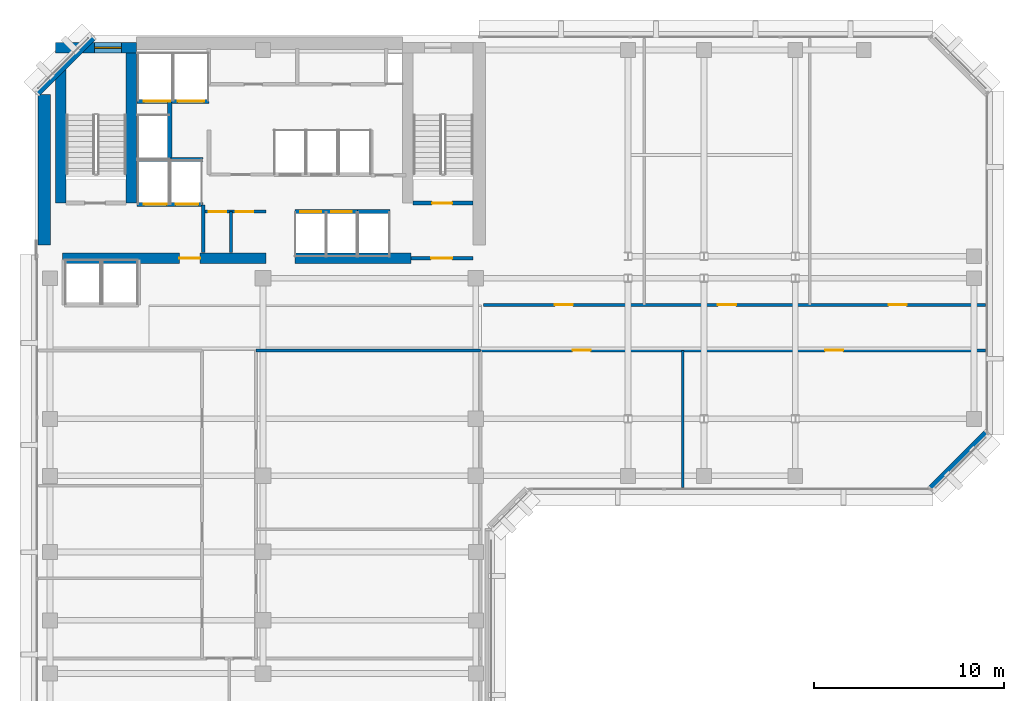
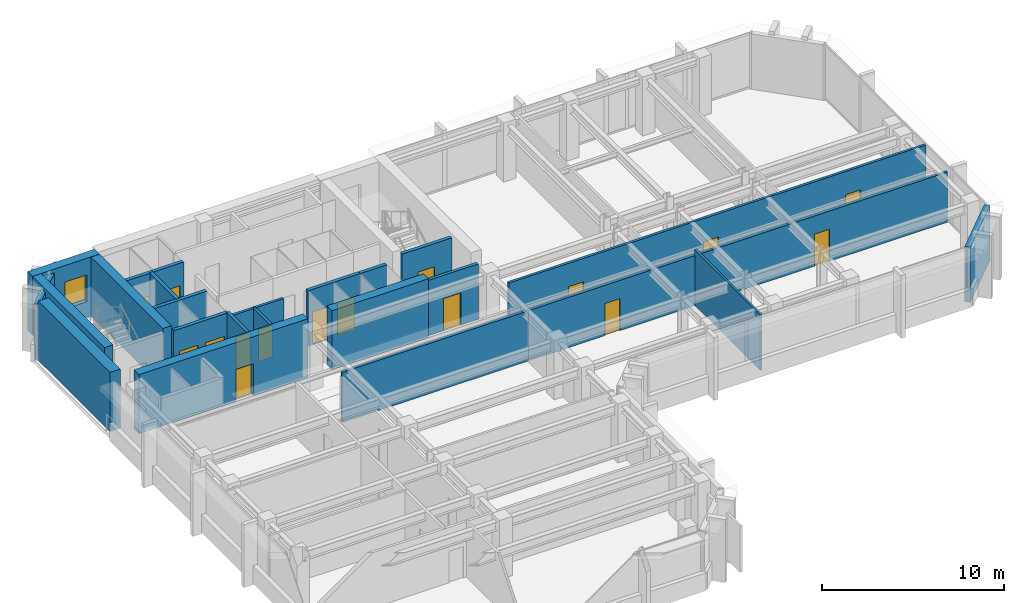
# One storey, part 7 of 12: 23 walls, 16 doors, 1 window, 17 openings.
"""IFC4 building model written with IfcOpenShell, lengths in metres."""

from ifc_helpers import new_model, si_unit, direction, frame, frame_2d, origin, place, context, subcontext, project, spatial, rectangle, extrude, material, layer, layer_set, type_object, element, fill, save


model = new_model("IFC4")

# Units and contexts
model_context = context("Model", 3, precision=1e-05, world=origin(), true_north=direction((0.0, 1.0)))
body_context = subcontext(model_context, "Body", "Model", "MODEL_VIEW")
ifc_project = project(units=[si_unit("LENGTHUNIT", "METRE"), si_unit("AREAUNIT", "SQUARE_METRE"), si_unit("VOLUMEUNIT", "CUBIC_METRE"), si_unit("PLANEANGLEUNIT", "RADIAN"), si_unit("MASSUNIT", "GRAM", prefix="KILO")], contexts=[model_context])

# Site, building, storey
site_placement = place(None, origin())
site = spatial("IfcSite", under=ifc_project, at=site_placement, CompositionType="ELEMENT")
building_placement = place(site_placement, origin())
building = spatial("IfcBuilding", under=site, at=building_placement, Name="Kefirva Bronze Tower", CompositionType="ELEMENT")
storey_placement = place(building_placement, frame((0.0, 0.0, 207.239990234375)))
storey = spatial("IfcBuildingStorey", under=building, at=storey_placement, Name="L50", CompositionType="ELEMENT", Elevation=207.239990234375)

# Wall
ifc_material_1 = material(Name="Gypsum acoustic partition")
ifc_layer_1 = layer(ifc_material_1, 0.1298828125, Name="Gypsum acoustic partition")
ifc_layer_set_1 = layer_set([ifc_layer_1], Name="Gypsum acoustic partition")
wall_type_1 = type_object("IfcWallType", Name="Acoustic Office Partition 130mm", PredefinedType="PARTITIONING", material=ifc_layer_set_1)
wall_1_placement = place(storey_placement, frame((34.073974609375, 22.18994140625, 0.0), z_axis=(0.0, 0.0, 1.0), x_axis=(0.0, 1.0, 0.0)))
element("IfcWall", 1, at=wall_1_placement, inside=storey, type_object=wall_type_1, Name="L50 Partition W-L50-ESD1", PredefinedType="PARTITIONING", context=body_context, shape_type="SweptSolid", body=[
    extrude(rectangle(XDim=7.2099609375, YDim=0.1298828125, at=frame_2d((3.60498046875, 0.0))), origin(), (0.0, 0.0, 1.0), 3.7099609375),
])

# Wall, opening, door
ifc_material_2 = material(Name="Gypsum fireboard shaftwall")
ifc_layer_2 = layer(ifc_material_2, 0.219970703125, Name="Gypsum fireboard shaftwall")
ifc_layer_set_2 = layer_set([ifc_layer_2], Name="Gypsum fireboard shaftwall")
wall_type_2 = type_object("IfcWallType", Name="Fire-Rated Shaft Enclosure Wall 220mm", PredefinedType="PARTITIONING", material=ifc_layer_set_2)
wall_2_placement = place(storey_placement, frame((19.89990234375, 37.14990234375, 0.0), z_axis=(0.0, 0.0, 1.0), x_axis=(1.0, 0.0, 0.0)))
wall_2 = element("IfcWall", 2, at=wall_2_placement, inside=storey, type_object=wall_type_2, Name="L50 Partition W-L50-ST2S", PredefinedType="PARTITIONING", context=body_context, shape_type="SweptSolid", body=[
    extrude(rectangle(XDim=3.150146484375, YDim=0.219970703125, at=frame_2d((1.5751953125, 0.0))), origin(), (0.0, 0.0, 1.0), 3.7099609375),
])
opening_1_placement = place(wall_2_placement, frame((2.050048828125, 0.0, 0.0), z_axis=(0.0, 0.0, 1.0), x_axis=(-1.0, 0.0, 0.0)))
opening_1 = element("IfcOpeningElement", 3, at=opening_1_placement, cuts=wall_2, Name="Opening L50-D003", PredefinedType="OPENING", context=body_context, shape_type="SweptSolid", body=[
    extrude(rectangle(XDim=1.050048828125, YDim=2.14990234375, at=frame_2d((0.52490234375, 1.074951171875))), frame((0.0, 0.1201171875, 0.0), z_axis=(0.0, -1.0, 0.0), x_axis=(1.0, 0.0, 0.0)), (0.0, 0.0, 1.0), 0.239990234375),
])
ifc_material_3 = material(Name="Painted galvanized steel", Category="steel")
door_type_1 = type_object("IfcDoorType", Name="Fire Stair Enclosure Door 1050x2150 FD90S", OperationType="NOTDEFINED", PredefinedType="DOOR", material=ifc_material_3)
door_1_placement = place(opening_1_placement, origin())
door_1 = element("IfcDoor", 4, at=door_1_placement, inside=storey, type_object=door_type_1, Name="Door L50-D003", OperationType="SINGLE_SWING_RIGHT", OverallHeight=2.14990234375, OverallWidth=1.050048828125, PredefinedType="DOOR", context=body_context, shape_type="SweptSolid", body=[
    extrude(rectangle(XDim=1.050048828125, YDim=2.14990234375, at=frame_2d((0.52490234375, 1.074951171875))), frame((0.0, 0.02490234375, 0.0), z_axis=(0.0, -1.0, 0.0), x_axis=(1.0, 0.0, 0.0)), (0.0, 0.0, 1.0), 0.050048828125),
])
fill(opening_1, door_1)

# Wall, openings, doors
wall_3_placement = place(storey_placement, frame((5.3798828125, 37.080078125, 0.0), z_axis=(0.0, 0.0, 1.0), x_axis=(1.0, 0.0, 0.0)))
wall_3 = element("IfcWall", 5, at=wall_3_placement, inside=storey, type_object=wall_type_2, Name="L50 Partition W-L50-FFS", PredefinedType="PARTITIONING", context=body_context, shape_type="SweptSolid", body=[
    extrude(rectangle(XDim=3.460205078125, YDim=0.219970703125, at=frame_2d((1.72998046875, 0.0))), origin(), (0.0, 0.0, 1.0), 3.7099609375),
])
opening_2_placement = place(wall_3_placement, frame((1.550048828125, 0.0, 0.0), z_axis=(0.0, 0.0, 1.0), x_axis=(-1.0, 0.0, 0.0)))
opening_2 = element("IfcOpeningElement", 6, at=opening_2_placement, cuts=wall_3, Name="Opening L50-LD-FF1", PredefinedType="OPENING", context=body_context, shape_type="SweptSolid", body=[
    extrude(rectangle(XDim=1.199951171875, YDim=2.199951171875, at=frame_2d((0.60009765625, 1.10009765625))), frame((0.0, 0.1201171875, 0.0), z_axis=(0.0, -1.0, 0.0), x_axis=(1.0, 0.0, 0.0)), (0.0, 0.0, 1.0), 0.239990234375),
])
opening_3_placement = place(wall_3_placement, frame((3.219970703125, 0.0, 0.0), z_axis=(0.0, 0.0, 1.0), x_axis=(-1.0, 0.0, 0.0)))
opening_3 = element("IfcOpeningElement", 7, at=opening_3_placement, cuts=wall_3, Name="Opening L50-LD-FF2", PredefinedType="OPENING", context=body_context, shape_type="SweptSolid", body=[
    extrude(rectangle(XDim=1.199951171875, YDim=2.199951171875, at=frame_2d((0.60009765625, 1.10009765625))), frame((0.0, 0.1201171875, 0.0), z_axis=(0.0, -1.0, 0.0), x_axis=(1.0, 0.0, 0.0)), (0.0, 0.0, 1.0), 0.239990234375),
])
ifc_material_4 = material(Name="Stainless steel 316", Category="steel")
door_type_2 = type_object("IfcDoorType", Name="Firefighting Lift Sliding Door 1200x2200", OperationType="SLIDING_TO_RIGHT", PredefinedType="DOOR", material=ifc_material_4)
door_2_placement = place(opening_2_placement, origin())
door_2 = element("IfcDoor", 8, at=door_2_placement, inside=storey, type_object=door_type_2, Name="Door L50-LD-FF1", OperationType="SLIDING_TO_RIGHT", OverallHeight=2.199951171875, OverallWidth=1.199951171875, PredefinedType="DOOR", context=body_context, shape_type="SweptSolid", body=[
    extrude(rectangle(XDim=1.199951171875, YDim=2.199951171875, at=frame_2d((0.60009765625, 1.10009765625))), frame((0.0, 0.02490234375, 0.0), z_axis=(0.0, -1.0, 0.0), x_axis=(1.0, 0.0, 0.0)), (0.0, 0.0, 1.0), 0.050048828125),
])
fill(opening_2, door_2)
door_3_placement = place(opening_3_placement, origin())
door_3 = element("IfcDoor", 9, at=door_3_placement, inside=storey, type_object=door_type_2, Name="Door L50-LD-FF2", OperationType="SLIDING_TO_RIGHT", OverallHeight=2.199951171875, OverallWidth=1.199951171875, PredefinedType="DOOR", context=body_context, shape_type="SweptSolid", body=[
    extrude(rectangle(XDim=1.199951171875, YDim=2.199951171875, at=frame_2d((0.60009765625, 1.10009765625))), frame((0.0, 0.02490234375, 0.0), z_axis=(0.0, -1.0, 0.0), x_axis=(1.0, 0.0, 0.0)), (0.0, 0.0, 1.0), 0.050048828125),
])
fill(opening_3, door_3)

# Wall
wall_4_placement = place(storey_placement, frame((5.3798828125, 39.449951171875, 0.0), z_axis=(0.0, 0.0, 1.0), x_axis=(1.0, 0.0, 0.0)))
element("IfcWall", 10, at=wall_4_placement, inside=storey, type_object=wall_type_2, Name="L50 Partition W-L50-FFN", PredefinedType="PARTITIONING", context=body_context, shape_type="SweptSolid", body=[
    extrude(rectangle(XDim=3.460205078125, YDim=0.219970703125, at=frame_2d((1.72998046875, 0.0))), origin(), (0.0, 0.0, 1.0), 3.7099609375),
])

# Wall, openings, doors
wall_5_placement = place(storey_placement, frame((5.3798828125, 42.5, 0.0), z_axis=(0.0, 0.0, 1.0), x_axis=(1.0, 0.0, 0.0)))
wall_5 = element("IfcWall", 11, at=wall_5_placement, inside=storey, type_object=wall_type_2, Name="L50 Partition W-L50-SVS", PredefinedType="PARTITIONING", context=body_context, shape_type="SweptSolid", body=[
    extrude(rectangle(XDim=3.77001953125, YDim=0.219970703125, at=frame_2d((1.885009765625, 0.0))), origin(), (0.0, 0.0, 1.0), 3.7099609375),
])
opening_4_placement = place(wall_5_placement, frame((1.75, 0.0, 0.0), z_axis=(0.0, 0.0, 1.0), x_axis=(-1.0, 0.0, 0.0)))
opening_4 = element("IfcOpeningElement", 12, at=opening_4_placement, cuts=wall_5, Name="Opening L50-LD-SV1", PredefinedType="OPENING", context=body_context, shape_type="SweptSolid", body=[
    extrude(rectangle(XDim=1.39990234375, YDim=2.199951171875, at=frame_2d((0.699951171875, 1.10009765625))), frame((0.0, 0.1201171875, 0.0), z_axis=(0.0, -1.0, 0.0), x_axis=(1.0, 0.0, 0.0)), (0.0, 0.0, 1.0), 0.239990234375),
])
opening_5_placement = place(wall_5_placement, frame((3.52978515625, 0.0, 0.0), z_axis=(0.0, 0.0, 1.0), x_axis=(-1.0, 0.0, 0.0)))
opening_5 = element("IfcOpeningElement", 13, at=opening_5_placement, cuts=wall_5, Name="Opening L50-LD-SV2", PredefinedType="OPENING", context=body_context, shape_type="SweptSolid", body=[
    extrude(rectangle(XDim=1.39990234375, YDim=2.199951171875, at=frame_2d((0.699951171875, 1.10009765625))), frame((0.0, 0.1201171875, 0.0), z_axis=(0.0, -1.0, 0.0), x_axis=(1.0, 0.0, 0.0)), (0.0, 0.0, 1.0), 0.239990234375),
])
door_type_3 = type_object("IfcDoorType", Name="Goods Lift Bi-Parting Sliding Door 1400x2200", OperationType="SLIDING_TO_LEFT", PredefinedType="DOOR", material=ifc_material_4)
door_4_placement = place(opening_4_placement, origin())
door_4 = element("IfcDoor", 14, at=door_4_placement, inside=storey, type_object=door_type_3, Name="Door L50-LD-SV1", OperationType="SLIDING_TO_LEFT", OverallHeight=2.199951171875, OverallWidth=1.39990234375, PredefinedType="DOOR", context=body_context, shape_type="SweptSolid", body=[
    extrude(rectangle(XDim=1.39990234375, YDim=2.199951171875, at=frame_2d((0.699951171875, 1.10009765625))), frame((0.0, 0.02490234375, 0.0), z_axis=(0.0, -1.0, 0.0), x_axis=(1.0, 0.0, 0.0)), (0.0, 0.0, 1.0), 0.050048828125),
])
fill(opening_4, door_4)
door_5_placement = place(opening_5_placement, origin())
door_5 = element("IfcDoor", 15, at=door_5_placement, inside=storey, type_object=door_type_3, Name="Door L50-LD-SV2", OperationType="SLIDING_TO_LEFT", OverallHeight=2.199951171875, OverallWidth=1.39990234375, PredefinedType="DOOR", context=body_context, shape_type="SweptSolid", body=[
    extrude(rectangle(XDim=1.39990234375, YDim=2.199951171875, at=frame_2d((0.699951171875, 1.10009765625))), frame((0.0, 0.02490234375, 0.0), z_axis=(0.0, -1.0, 0.0), x_axis=(1.0, 0.0, 0.0)), (0.0, 0.0, 1.0), 0.050048828125),
])
fill(opening_5, door_5)

# Wall
wall_6_placement = place(storey_placement, frame((7.10009765625, 39.52001953125, 0.0), z_axis=(0.0, 0.0, 1.0), x_axis=(0.0, 1.0, 0.0)))
element("IfcWall", 16, at=wall_6_placement, inside=storey, type_object=wall_type_2, Name="L50 Partition W-L50-HP3E", PredefinedType="PARTITIONING", context=body_context, shape_type="SweptSolid", body=[
    extrude(rectangle(XDim=2.929931640625, YDim=0.219970703125, at=frame_2d((1.46484375, 0.0))), origin(), (0.0, 0.0, 1.0), 3.7099609375),
])

# Wall, openings, doors
wall_7_placement = place(storey_placement, frame((13.679931640625, 36.699951171875, 0.0), z_axis=(0.0, 0.0, 1.0), x_axis=(1.0, 0.0, 0.0)))
wall_7 = element("IfcWall", 17, at=wall_7_placement, inside=storey, type_object=wall_type_2, Name="L50 Partition W-L50-MPS", PredefinedType="PARTITIONING", context=body_context, shape_type="SweptSolid", body=[
    extrude(rectangle(XDim=3.280029296875, YDim=0.219970703125, at=frame_2d((1.64013671875, 0.0))), origin(), (0.0, 0.0, 1.0), 3.7099609375),
])
opening_6_placement = place(wall_7_placement, frame((0.280029296875, 0.0, 0.0)))
opening_6 = element("IfcOpeningElement", 18, at=opening_6_placement, cuts=wall_7, Name="Opening L50-LD-MP1", PredefinedType="OPENING", context=body_context, shape_type="SweptSolid", body=[
    extrude(rectangle(XDim=1.10009765625, YDim=2.199951171875, at=frame_2d((0.550048828125, 1.10009765625))), frame((0.0, 0.1201171875, 0.0), z_axis=(0.0, -1.0, 0.0), x_axis=(1.0, 0.0, 0.0)), (0.0, 0.0, 1.0), 0.239990234375),
])
opening_7_placement = place(wall_7_placement, frame((1.89990234375, 0.0, 0.0)))
opening_7 = element("IfcOpeningElement", 19, at=opening_7_placement, cuts=wall_7, Name="Opening L50-LD-MP2", PredefinedType="OPENING", context=body_context, shape_type="SweptSolid", body=[
    extrude(rectangle(XDim=1.10009765625, YDim=2.199951171875, at=frame_2d((0.550048828125, 1.10009765625))), frame((0.0, 0.1201171875, 0.0), z_axis=(0.0, -1.0, 0.0), x_axis=(1.0, 0.0, 0.0)), (0.0, 0.0, 1.0), 0.239990234375),
])
door_type_4 = type_object("IfcDoorType", Name="Passenger Lift Sliding Landing Door 1100x2200", OperationType="SLIDING_TO_LEFT", PredefinedType="DOOR", material=ifc_material_4)
door_6_placement = place(opening_6_placement, origin())
door_6 = element("IfcDoor", 20, at=door_6_placement, inside=storey, type_object=door_type_4, Name="Door L50-LD-MP1", OperationType="SLIDING_TO_RIGHT", OverallHeight=2.199951171875, OverallWidth=1.10009765625, PredefinedType="DOOR", context=body_context, shape_type="SweptSolid", body=[
    extrude(rectangle(XDim=1.10009765625, YDim=2.199951171875, at=frame_2d((0.550048828125, 1.10009765625))), frame((0.0, 0.02490234375, 0.0), z_axis=(0.0, -1.0, 0.0), x_axis=(1.0, 0.0, 0.0)), (0.0, 0.0, 1.0), 0.050048828125),
])
fill(opening_6, door_6)
door_7_placement = place(opening_7_placement, origin())
door_7 = element("IfcDoor", 21, at=door_7_placement, inside=storey, type_object=door_type_4, Name="Door L50-LD-MP2", OperationType="SLIDING_TO_RIGHT", OverallHeight=2.199951171875, OverallWidth=1.10009765625, PredefinedType="DOOR", context=body_context, shape_type="SweptSolid", body=[
    extrude(rectangle(XDim=1.10009765625, YDim=2.199951171875, at=frame_2d((0.550048828125, 1.10009765625))), frame((0.0, 0.02490234375, 0.0), z_axis=(0.0, -1.0, 0.0), x_axis=(1.0, 0.0, 0.0)), (0.0, 0.0, 1.0), 0.050048828125),
])
fill(opening_7, door_7)

# Walls
wall_8_placement = place(storey_placement, frame((16.97998046875, 36.699951171875, 0.0), z_axis=(0.0, 0.0, 1.0), x_axis=(1.0, 0.0, 0.0)))
element("IfcWall", 22, at=wall_8_placement, inside=storey, type_object=wall_type_2, Name="L50 Partition W-L50-HPS", PredefinedType="PARTITIONING", context=body_context, shape_type="SweptSolid", body=[
    extrude(rectangle(XDim=1.699951171875, YDim=0.219970703125, at=frame_2d((0.85009765625, 0.0))), origin(), (0.0, 0.0, 1.0), 3.7099609375),
])
ifc_material_5 = material(Name="Gypsum fireboard barrier")
ifc_layer_3 = layer(ifc_material_5, 0.199951171875, Name="Gypsum fireboard barrier")
ifc_layer_set_3 = layer_set([ifc_layer_3], Name="Gypsum fireboard barrier")
wall_type_3 = type_object("IfcWallType", Name="Firefighting Lobby Barrier Wall 200mm", PredefinedType="PARTITIONING", material=ifc_layer_set_3)
wall_9_placement = place(storey_placement, frame((8.860107421875, 34.550048828125, 0.0), z_axis=(0.0, 0.0, 1.0), x_axis=(0.0, 1.0, 0.0)))
element("IfcWall", 23, at=wall_9_placement, inside=storey, type_object=wall_type_3, Name="L50 Partition W-L50-FFLE", PredefinedType="PARTITIONING", context=body_context, shape_type="SweptSolid", body=[
    extrude(rectangle(XDim=2.5, YDim=0.199951171875, at=frame_2d((1.25, 0.0))), origin(), (0.0, 0.0, 1.0), 3.7099609375),
])

# Wall, opening, door
wall_10_placement = place(storey_placement, frame((19.800048828125, 34.25, 0.0), z_axis=(0.0, 0.0, 1.0), x_axis=(1.0, 0.0, 0.0)))
wall_10 = element("IfcWall", 24, at=wall_10_placement, inside=storey, type_object=wall_type_3, Name="L50 Partition W-L50-ST2F", PredefinedType="PARTITIONING", context=body_context, shape_type="SweptSolid", body=[
    extrude(rectangle(XDim=3.25, YDim=0.199951171875, at=frame_2d((1.625, 0.0))), origin(), (0.0, 0.0, 1.0), 3.7099609375),
])
opening_8_placement = place(wall_10_placement, frame((2.150146484375, 0.0, 0.0), z_axis=(0.0, 0.0, 1.0), x_axis=(-1.0, 0.0, 0.0)))
opening_8 = element("IfcOpeningElement", 25, at=opening_8_placement, cuts=wall_10, Name="Opening L50-D004", PredefinedType="OPENING", context=body_context, shape_type="SweptSolid", body=[
    extrude(rectangle(XDim=1.10009765625, YDim=2.14990234375, at=frame_2d((0.550048828125, 1.074951171875))), frame((0.0, 0.10986328125, 0.0), z_axis=(0.0, -1.0, 0.0), x_axis=(1.0, 0.0, 0.0)), (0.0, 0.0, 1.0), 0.219970703125),
])
door_type_5 = type_object("IfcDoorType", Name="Firefighting Lobby Smoke Door 1100x2150 FD60S", OperationType="NOTDEFINED", PredefinedType="DOOR", material=ifc_material_3)
door_8_placement = place(opening_8_placement, origin())
door_8 = element("IfcDoor", 26, at=door_8_placement, inside=storey, type_object=door_type_5, Name="Door L50-D004", OperationType="SINGLE_SWING_LEFT", OverallHeight=2.14990234375, OverallWidth=1.10009765625, PredefinedType="DOOR", context=body_context, shape_type="SweptSolid", body=[
    extrude(rectangle(XDim=1.10009765625, YDim=2.14990234375, at=frame_2d((0.550048828125, 1.074951171875))), frame((0.0, 0.02490234375, 0.0), z_axis=(0.0, -1.0, 0.0), x_axis=(1.0, 0.0, 0.0)), (0.0, 0.0, 1.0), 0.050048828125),
])
fill(opening_8, door_8)

# Walls
ifc_material_6 = material(Name="Precast concrete C40/50", Category="concrete")
ifc_layer_4 = layer(ifc_material_6, 0.320068359375, Name="Precast concrete C40/50")
ifc_layer_set_4 = layer_set([ifc_layer_4], Name="Precast concrete C40/50")
wall_type_4 = type_object("IfcWallType", Name="Precast Insulated Exterior Wall 320mm", PredefinedType="SOLIDWALL", material=ifc_layer_set_4)
for number, where, z_axis, x_axis, name in (
    (27, (47.125732421875, 22.152099609375, 0.0), (0.0, 0.0, 1.0), (0.707136318428, 0.707077242712, 0.0), "L50 Exterior Facade Wall 4"),
    (28, (3.07421875, 45.847900390625, 0.0), (0.0, 0.0, 1.0), (-0.707106781187, -0.707106781187, 0.0), "L50 Exterior Facade Wall 6"),
):
    element("IfcWall", number, at=place(storey_placement, frame(where, z_axis=z_axis, x_axis=x_axis)), inside=storey, type_object=wall_type_4, Name=name, PredefinedType="SOLIDWALL", context=body_context, shape_type="SweptSolid", body=[
        extrude(rectangle(XDim=4.132568359375, YDim=0.320068359375, at=frame_2d((2.06640625, 0.0))), origin(), (0.0, 0.0, 1.0), 3.7099609375),
    ])

# Wall, openings, doors
ifc_layer_5 = layer(ifc_material_1, 0.159912109375, Name="Gypsum acoustic partition")
ifc_layer_set_5 = layer_set([ifc_layer_5], Name="Gypsum acoustic partition")
wall_type_5 = type_object("IfcWallType", Name="Protected Corridor Partition 160mm", PredefinedType="PARTITIONING", material=ifc_layer_set_5)
wall_11_placement = place(storey_placement, frame((8.89990234375, 36.699951171875, 0.0), z_axis=(0.0, 0.0, 1.0), x_axis=(1.0, 0.0, 0.0)))
wall_11 = element("IfcWall", 29, at=wall_11_placement, inside=storey, type_object=wall_type_5, Name="L50 Partition W-L50-RECLP1", PredefinedType="PARTITIONING", context=body_context, shape_type="SweptSolid", body=[
    extrude(rectangle(XDim=3.25, YDim=0.159912109375, at=frame_2d((1.625, 0.0))), origin(), (0.0, 0.0, 1.0), 3.7099609375),
])
opening_9_placement = place(wall_11_placement, frame((0.260009765625, 0.0, 0.0)))
opening_9 = element("IfcOpeningElement", 30, at=opening_9_placement, cuts=wall_11, Name="Opening L50-D-RECLP1A", PredefinedType="OPENING", context=body_context, shape_type="SweptSolid", body=[
    extrude(rectangle(XDim=0.89990234375, YDim=2.14990234375, at=frame_2d((0.449951171875, 1.074951171875))), frame((0.0, 0.08984375, 0.0), z_axis=(0.0, -1.0, 0.0), x_axis=(1.0, 0.0, 0.0)), (0.0, 0.0, 1.0), 0.179931640625),
])
opening_10_placement = place(wall_11_placement, frame((1.679931640625, 0.0, 0.0)))
opening_10 = element("IfcOpeningElement", 31, at=opening_10_placement, cuts=wall_11, Name="Opening L50-D-RECLP1B", PredefinedType="OPENING", context=body_context, shape_type="SweptSolid", body=[
    extrude(rectangle(XDim=0.89990234375, YDim=2.14990234375, at=frame_2d((0.449951171875, 1.074951171875))), frame((0.0, 0.08984375, 0.0), z_axis=(0.0, -1.0, 0.0), x_axis=(1.0, 0.0, 0.0)), (0.0, 0.0, 1.0), 0.179931640625),
])
door_type_6 = type_object("IfcDoorType", Name="Core Archive & Server Fire Door 900x2150 FD60S", OperationType="NOTDEFINED", PredefinedType="DOOR", material=ifc_material_3)
door_9_placement = place(opening_9_placement, origin())
door_9 = element("IfcDoor", 32, at=door_9_placement, inside=storey, type_object=door_type_6, Name="Door L50-D-RECLP1A", OperationType="SINGLE_SWING_LEFT", OverallHeight=2.14990234375, OverallWidth=0.89990234375, PredefinedType="DOOR", context=body_context, shape_type="SweptSolid", body=[
    extrude(rectangle(XDim=0.89990234375, YDim=2.14990234375, at=frame_2d((0.449951171875, 1.074951171875))), frame((0.0, 0.02490234375, 0.0), z_axis=(0.0, -1.0, 0.0), x_axis=(1.0, 0.0, 0.0)), (0.0, 0.0, 1.0), 0.050048828125),
])
fill(opening_9, door_9)
door_10_placement = place(opening_10_placement, origin())
door_10 = element("IfcDoor", 33, at=door_10_placement, inside=storey, type_object=door_type_6, Name="Door L50-D-RECLP1B", OperationType="SINGLE_SWING_RIGHT", OverallHeight=2.14990234375, OverallWidth=0.89990234375, PredefinedType="DOOR", context=body_context, shape_type="SweptSolid", body=[
    extrude(rectangle(XDim=0.89990234375, YDim=2.14990234375, at=frame_2d((0.449951171875, 1.074951171875))), frame((0.0, 0.02490234375, 0.0), z_axis=(0.0, -1.0, 0.0), x_axis=(1.0, 0.0, 0.0)), (0.0, 0.0, 1.0), 0.050048828125),
])
fill(opening_10, door_10)

# Walls
wall_12_placement = place(storey_placement, frame((10.320068359375, 34.550048828125, 0.0), z_axis=(0.0, 0.0, 1.0), x_axis=(0.0, 1.0, 0.0)))
element("IfcWall", 34, at=wall_12_placement, inside=storey, type_object=wall_type_5, Name="L50 Partition W-L50-RECLP1D", PredefinedType="PARTITIONING", context=body_context, shape_type="SweptSolid", body=[
    extrude(rectangle(XDim=2.14990234375, YDim=0.159912109375, at=frame_2d((1.074951171875, 0.0))), origin(), (0.0, 0.0, 1.0), 3.7099609375),
])
wall_13_placement = place(storey_placement, frame((11.639892578125, 29.39990234375, 0.0), z_axis=(0.0, 0.0, 1.0), x_axis=(1.0, 0.0, 0.0)))
element("IfcWall", 35, at=wall_13_placement, inside=storey, type_object=wall_type_5, Name="L50 Partition W-L50-NET", PredefinedType="PARTITIONING", context=body_context, shape_type="SweptSolid", body=[
    extrude(rectangle(XDim=11.81005859375, YDim=0.159912109375, at=frame_2d((5.905029296875, 0.0))), origin(), (0.0, 0.0, 1.0), 3.364990234375),
])

# Wall, openings, doors
wall_14_placement = place(storey_placement, frame((23.449951171875, 29.39990234375, 0.0), z_axis=(0.0, 0.0, 1.0), x_axis=(1.0, 0.0, 0.0)))
wall_14 = element("IfcWall", 36, at=wall_14_placement, inside=storey, type_object=wall_type_5, Name="L50 Partition W-L50-EWS", PredefinedType="PARTITIONING", context=body_context, shape_type="SweptSolid", body=[
    extrude(rectangle(XDim=26.56005859375, YDim=0.159912109375, at=frame_2d((13.280029296875, 0.0))), origin(), (0.0, 0.0, 1.0), 3.364990234375),
])
opening_11_placement = place(wall_14_placement, frame((5.786865234375, 0.0, 0.0), z_axis=(0.0, 0.0, 1.0), x_axis=(-1.0, 0.0, 0.0)))
opening_11 = element("IfcOpeningElement", 37, at=opening_11_placement, cuts=wall_14, Name="Opening L50-D-ES1", PredefinedType="OPENING", context=body_context, shape_type="SweptSolid", body=[
    extrude(rectangle(XDim=0.949951171875, YDim=2.14990234375, at=frame_2d((0.47509765625, 1.074951171875))), frame((0.0, 0.08984375, 0.0), z_axis=(0.0, -1.0, 0.0), x_axis=(1.0, 0.0, 0.0)), (0.0, 0.0, 1.0), 0.179931640625),
])
opening_12_placement = place(wall_14_placement, frame((19.06689453125, 0.0, 0.0), z_axis=(0.0, 0.0, 1.0), x_axis=(-1.0, 0.0, 0.0)))
opening_12 = element("IfcOpeningElement", 38, at=opening_12_placement, cuts=wall_14, Name="Opening L50-D-ES2", PredefinedType="OPENING", context=body_context, shape_type="SweptSolid", body=[
    extrude(rectangle(XDim=0.949951171875, YDim=2.14990234375, at=frame_2d((0.47509765625, 1.074951171875))), frame((0.0, 0.08984375, 0.0), z_axis=(0.0, -1.0, 0.0), x_axis=(1.0, 0.0, 0.0)), (0.0, 0.0, 1.0), 0.179931640625),
])
ifc_material_7 = material(Name="Acoustic hardwood oak", Category="wood")
door_type_7 = type_object("IfcDoorType", Name="Office & Meeting Room Door 950x2150", OperationType="NOTDEFINED", PredefinedType="DOOR", material=ifc_material_7)
door_11_placement = place(opening_11_placement, origin())
door_11 = element("IfcDoor", 39, at=door_11_placement, inside=storey, type_object=door_type_7, Name="Door L50-D-ES1", OperationType="SINGLE_SWING_LEFT", OverallHeight=2.14990234375, OverallWidth=0.949951171875, PredefinedType="DOOR", context=body_context, shape_type="SweptSolid", body=[
    extrude(rectangle(XDim=0.949951171875, YDim=2.14990234375, at=frame_2d((0.47509765625, 1.074951171875))), frame((0.0, 0.02490234375, 0.0), z_axis=(0.0, -1.0, 0.0), x_axis=(1.0, 0.0, 0.0)), (0.0, 0.0, 1.0), 0.050048828125),
])
fill(opening_11, door_11)
door_12_placement = place(opening_12_placement, origin())
door_12 = element("IfcDoor", 40, at=door_12_placement, inside=storey, type_object=door_type_7, Name="Door L50-D-ES2", OperationType="SINGLE_SWING_RIGHT", OverallHeight=2.14990234375, OverallWidth=0.949951171875, PredefinedType="DOOR", context=body_context, shape_type="SweptSolid", body=[
    extrude(rectangle(XDim=0.949951171875, YDim=2.14990234375, at=frame_2d((0.47509765625, 1.074951171875))), frame((0.0, 0.02490234375, 0.0), z_axis=(0.0, -1.0, 0.0), x_axis=(1.0, 0.0, 0.0)), (0.0, 0.0, 1.0), 0.050048828125),
])
fill(opening_12, door_12)

wall_15_placement = place(storey_placement, frame((23.60009765625, 31.800048828125, 0.0), z_axis=(0.0, 0.0, 1.0), x_axis=(1.0, 0.0, 0.0)))
wall_15 = element("IfcWall", 41, at=wall_15_placement, inside=storey, type_object=wall_type_5, Name="L50 Partition W-L50-EWN", PredefinedType="PARTITIONING", context=body_context, shape_type="SweptSolid", body=[
    extrude(rectangle(XDim=26.409912109375, YDim=0.159912109375, at=frame_2d((13.205078125, 0.0))), origin(), (0.0, 0.0, 1.0), 3.7099609375),
])
opening_13_placement = place(wall_15_placement, frame((3.75048828125, 0.0, 0.0)))
opening_13 = element("IfcOpeningElement", 42, at=opening_13_placement, cuts=wall_15, Name="Opening L50-D-EN1", PredefinedType="OPENING", context=body_context, shape_type="SweptSolid", body=[
    extrude(rectangle(XDim=0.949951171875, YDim=2.14990234375, at=frame_2d((0.47509765625, 1.074951171875))), frame((0.0, 0.08984375, 0.0), z_axis=(0.0, -1.0, 0.0), x_axis=(1.0, 0.0, 0.0)), (0.0, 0.0, 1.0), 0.179931640625),
])
opening_14_placement = place(wall_15_placement, frame((12.333740234375, 0.0, 0.0)))
opening_14 = element("IfcOpeningElement", 43, at=opening_14_placement, cuts=wall_15, Name="Opening L50-D-EN2", PredefinedType="OPENING", context=body_context, shape_type="SweptSolid", body=[
    extrude(rectangle(XDim=0.949951171875, YDim=2.14990234375, at=frame_2d((0.47509765625, 1.074951171875))), frame((0.0, 0.08984375, 0.0), z_axis=(0.0, -1.0, 0.0), x_axis=(1.0, 0.0, 0.0)), (0.0, 0.0, 1.0), 0.179931640625),
])
opening_15_placement = place(wall_15_placement, frame((21.313232421875, 0.0, 0.0)))
opening_15 = element("IfcOpeningElement", 44, at=opening_15_placement, cuts=wall_15, Name="Opening L50-D-EN3", PredefinedType="OPENING", context=body_context, shape_type="SweptSolid", body=[
    extrude(rectangle(XDim=0.949951171875, YDim=2.14990234375, at=frame_2d((0.47509765625, 1.074951171875))), frame((0.0, 0.08984375, 0.0), z_axis=(0.0, -1.0, 0.0), x_axis=(1.0, 0.0, 0.0)), (0.0, 0.0, 1.0), 0.179931640625),
])
door_13_placement = place(opening_13_placement, origin())
door_13 = element("IfcDoor", 45, at=door_13_placement, inside=storey, type_object=door_type_7, Name="Door L50-D-EN1", OperationType="SINGLE_SWING_LEFT", OverallHeight=2.14990234375, OverallWidth=0.949951171875, PredefinedType="DOOR", context=body_context, shape_type="SweptSolid", body=[
    extrude(rectangle(XDim=0.949951171875, YDim=2.14990234375, at=frame_2d((0.47509765625, 1.074951171875))), frame((0.0, 0.02490234375, 0.0), z_axis=(0.0, -1.0, 0.0), x_axis=(1.0, 0.0, 0.0)), (0.0, 0.0, 1.0), 0.050048828125),
])
fill(opening_13, door_13)
door_14_placement = place(opening_14_placement, origin())
door_14 = element("IfcDoor", 46, at=door_14_placement, inside=storey, type_object=door_type_7, Name="Door L50-D-EN2", OperationType="SINGLE_SWING_RIGHT", OverallHeight=2.14990234375, OverallWidth=0.949951171875, PredefinedType="DOOR", context=body_context, shape_type="SweptSolid", body=[
    extrude(rectangle(XDim=0.949951171875, YDim=2.14990234375, at=frame_2d((0.47509765625, 1.074951171875))), frame((0.0, 0.02490234375, 0.0), z_axis=(0.0, -1.0, 0.0), x_axis=(1.0, 0.0, 0.0)), (0.0, 0.0, 1.0), 0.050048828125),
])
fill(opening_14, door_14)
door_15_placement = place(opening_15_placement, origin())
door_15 = element("IfcDoor", 47, at=door_15_placement, inside=storey, type_object=door_type_7, Name="Door L50-D-EN3", OperationType="SINGLE_SWING_LEFT", OverallHeight=2.14990234375, OverallWidth=0.949951171875, PredefinedType="DOOR", context=body_context, shape_type="SweptSolid", body=[
    extrude(rectangle(XDim=0.949951171875, YDim=2.14990234375, at=frame_2d((0.47509765625, 1.074951171875))), frame((0.0, 0.02490234375, 0.0), z_axis=(0.0, -1.0, 0.0), x_axis=(1.0, 0.0, 0.0)), (0.0, 0.0, 1.0), 0.050048828125),
])
fill(opening_15, door_15)

# Wall, opening, window
ifc_material_8 = material(Name="Concrete C50/60", Category="concrete")
ifc_layer_6 = layer(ifc_material_8, 0.550048828125, Name="Concrete C50/60")
ifc_layer_set_6 = layer_set([ifc_layer_6], Name="Concrete C50/60")
wall_type_6 = type_object("IfcWallType", Name="RC Rear Core Exterior Wall 550mm", PredefinedType="SHEAR", material=ifc_layer_set_6)
wall_16_placement = place(storey_placement, frame((1.10009765625, 45.320068359375, 0.0), z_axis=(0.0, 0.0, 1.0), x_axis=(1.0, 0.0, 0.0)))
wall_16 = element("IfcWall", 48, at=wall_16_placement, inside=storey, type_object=wall_type_6, Name="L50 Stair 1 North Shear Wall", PredefinedType="SHEAR", context=body_context, shape_type="SweptSolid", body=[
    extrude(rectangle(XDim=4.239990234375, YDim=0.550048828125, at=frame_2d((2.1201171875, 0.0))), origin(), (0.0, 0.0, 1.0), 3.9599609375),
])
opening_16_placement = place(wall_16_placement, frame((2.050048828125, 0.0, 1.050048828125)))
opening_16 = element("IfcOpeningElement", 49, at=opening_16_placement, cuts=wall_16, Name="Opening WN-03", PredefinedType="OPENING", context=body_context, shape_type="SweptSolid", body=[
    extrude(rectangle(XDim=1.39990234375, YDim=1.800048828125, at=frame_2d((0.699951171875, 0.89990234375))), frame((0.0, 0.28515625, 0.0), z_axis=(0.0, -1.0, 0.0), x_axis=(1.0, 0.0, 0.0)), (0.0, 0.0, 1.0), 0.570068359375),
])
ifc_material_9 = material(Name="Laminated low-E double glazing", Category="glass")
window_type = type_object("IfcWindowType", Name="Rear-Core Stair Daylight Window 1400x1800", PartitioningType="SINGLE_PANEL", PredefinedType="WINDOW", material=ifc_material_9)
window_placement = place(opening_16_placement, origin())
window = element("IfcWindow", 50, at=window_placement, inside=storey, type_object=window_type, Name="L50 Stair 1 Daylight Window", OverallHeight=1.800048828125, OverallWidth=1.39990234375, PartitioningType="SINGLE_PANEL", PredefinedType="WINDOW", context=body_context, shape_type="SweptSolid", body=[
    extrude(rectangle(XDim=1.39990234375, YDim=1.800048828125, at=frame_2d((0.699951171875, 0.89990234375))), frame((0.0, 0.030029296875, 0.0), z_axis=(0.0, -1.0, 0.0), x_axis=(1.0, 0.0, 0.0)), (0.0, 0.0, 1.0), 0.06005859375),
])
fill(opening_16, window)

# Walls
ifc_layer_7 = layer(ifc_material_8, 0.64990234375, Name="Concrete C50/60")
ifc_layer_set_7 = layer_set([ifc_layer_7], Name="Concrete C50/60")
wall_type_7 = type_object("IfcWallType", Name="RC Rear Core Exterior Wall 650mm", PredefinedType="SHEAR", material=ifc_layer_set_7)
wall_17_placement = place(storey_placement, frame((0.5, 34.949951171875, 0.0), z_axis=(0.0, 0.0, 1.0), x_axis=(0.0, 1.0, 0.0)))
element("IfcWall", 51, at=wall_17_placement, inside=storey, type_object=wall_type_7, Name="L50 Rear Core West Shear Wall", PredefinedType="SHEAR", context=body_context, shape_type="SweptSolid", body=[
    extrude(rectangle(XDim=7.900146484375, YDim=0.64990234375, at=frame_2d((3.9501953125, 0.0))), origin(), (0.0, 0.0, 1.0), 3.9599609375),
])
ifc_layer_8 = layer(ifc_material_8, 0.550048828125, Name="Concrete C50/60")
ifc_layer_set_8 = layer_set([ifc_layer_8], Name="Concrete C50/60")
wall_type_8 = type_object("IfcWallType", Name="RC Rear Core Interior Wall 550mm", PredefinedType="SHEAR", material=ifc_layer_set_8)
for number, where, z_axis, x_axis, name in (
    (52, (1.3701171875, 37.14990234375, 0.0), (0.0, 0.0, 1.0), (0.0, 1.0, 0.0), "L50 Stair 1 West Shear Wall"),
    (53, (5.070068359375, 37.14990234375, 0.0), (0.0, 0.0, 1.0), (0.0, 1.0, 0.0), "L50 Stair 1 East Shear Wall"),
):
    element("IfcWall", number, at=place(storey_placement, frame(where, z_axis=z_axis, x_axis=x_axis)), inside=storey, type_object=wall_type_8, Name=name, PredefinedType="SHEAR", context=body_context, shape_type="SweptSolid", body=[
        extrude(rectangle(XDim=7.89013671875, YDim=0.550048828125, at=frame_2d((3.945068359375, 0.0))), origin(), (0.0, 0.0, 1.0), 3.9599609375),
    ])

# Wall, opening, door
ifc_layer_9 = layer(ifc_material_8, 0.64990234375, Name="Concrete C50/60")
ifc_layer_set_9 = layer_set([ifc_layer_9], Name="Concrete C50/60")
wall_type_9 = type_object("IfcWallType", Name="RC Rear Core Interior Wall 650mm", PredefinedType="SHEAR", material=ifc_layer_set_9)
wall_18_placement = place(storey_placement, frame((1.449951171875, 34.25, 0.0), z_axis=(0.0, 0.0, 1.0), x_axis=(1.0, 0.0, 0.0)))
wall_18 = element("IfcWall", 54, at=wall_18_placement, inside=storey, type_object=wall_type_9, Name="L50 Rear Core South-West Shear Wall", PredefinedType="SHEAR", context=body_context, shape_type="SweptSolid", body=[
    extrude(rectangle(XDim=10.7099609375, YDim=0.550048828125, at=frame_2d((5.35498046875, 0.0))), origin(), (0.0, 0.0, 1.0), 3.9599609375),
])
opening_17_placement = place(wall_18_placement, frame((7.25, 0.0, 0.0), z_axis=(0.0, 0.0, 1.0), x_axis=(-1.0, 0.0, 0.0)))
opening_17 = element("IfcOpeningElement", 55, at=opening_17_placement, cuts=wall_18, Name="Opening L50-D002", PredefinedType="OPENING", context=body_context, shape_type="SweptSolid", body=[
    extrude(rectangle(XDim=1.10009765625, YDim=2.14990234375, at=frame_2d((0.550048828125, 1.074951171875))), frame((0.0, 0.28515625, 0.0), z_axis=(0.0, -1.0, 0.0), x_axis=(1.0, 0.0, 0.0)), (0.0, 0.0, 1.0), 0.570068359375),
])
door_16_placement = place(opening_17_placement, origin())
door_16 = element("IfcDoor", 56, at=door_16_placement, inside=storey, type_object=door_type_5, Name="Door L50-D002", OperationType="SINGLE_SWING_LEFT", OverallHeight=2.14990234375, OverallWidth=1.10009765625, PredefinedType="DOOR", context=body_context, shape_type="SweptSolid", body=[
    extrude(rectangle(XDim=1.10009765625, YDim=2.14990234375, at=frame_2d((0.550048828125, 1.074951171875))), frame((0.0, 0.02490234375, 0.0), z_axis=(0.0, -1.0, 0.0), x_axis=(1.0, 0.0, 0.0)), (0.0, 0.0, 1.0), 0.050048828125),
])
fill(opening_17, door_16)

# Wall
wall_19_placement = place(storey_placement, frame((13.679931640625, 34.25, 0.0), z_axis=(0.0, 0.0, 1.0), x_axis=(1.0, 0.0, 0.0)))
element("IfcWall", 57, at=wall_19_placement, inside=storey, type_object=wall_type_9, Name="L50 Rear Core South-East Shear Wall", PredefinedType="SHEAR", context=body_context, shape_type="SweptSolid", body=[
    extrude(rectangle(XDim=6.1201171875, YDim=0.550048828125, at=frame_2d((3.06005859375, 0.0))), origin(), (0.0, 0.0, 1.0), 3.9599609375),
])

save(model, "model.ifc")
